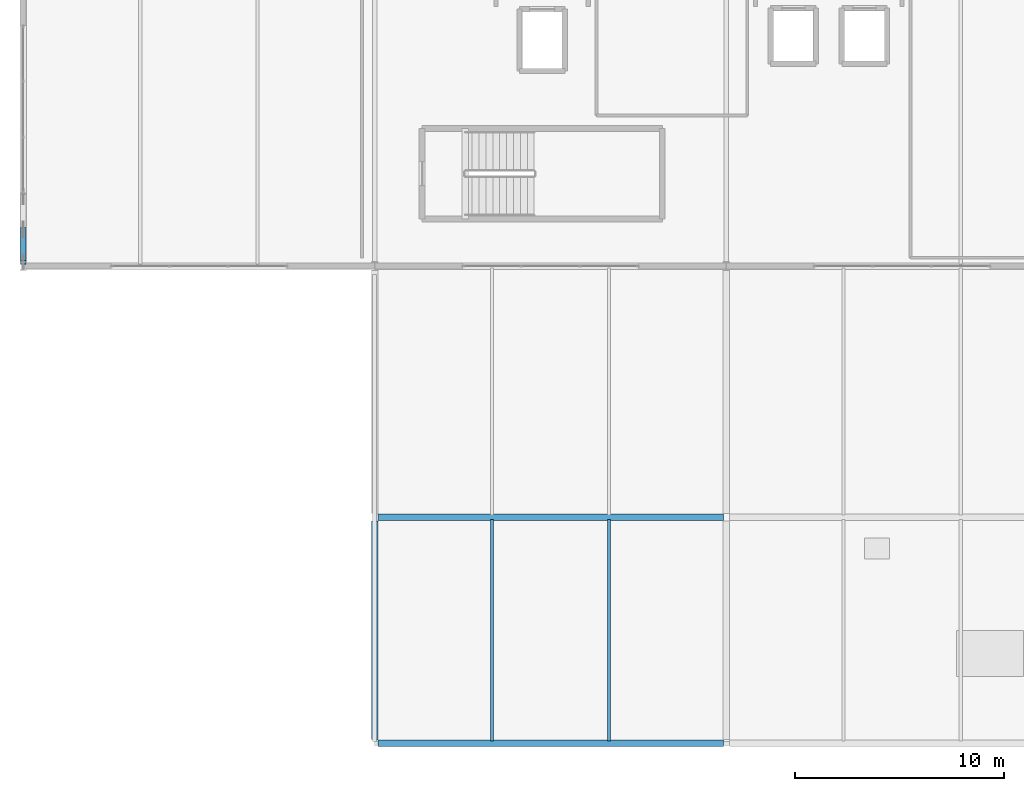
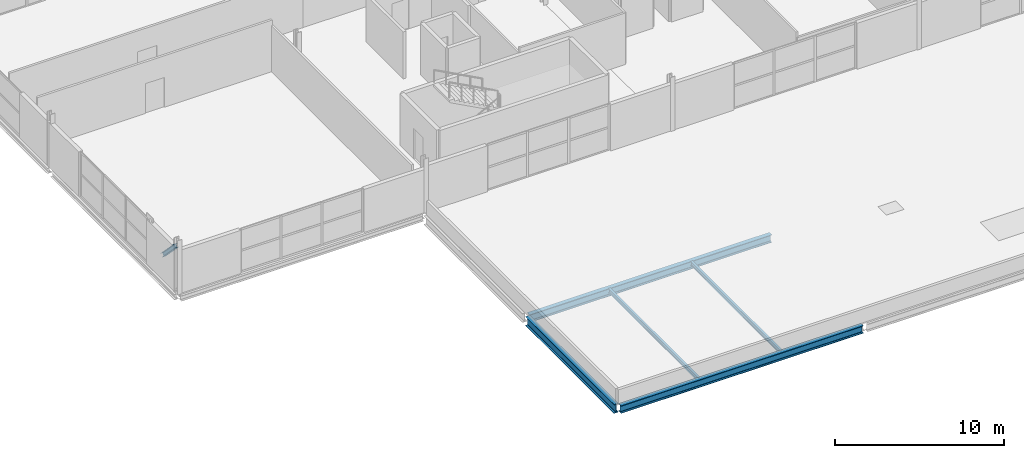
# One storey, part 6 of 36: 5 beams, 1 member.
"""IFC4 building model written with IfcOpenShell, lengths in metres."""

from ifc_helpers import new_model, si_unit, direction, frame, origin, origin_2d, place, context, subcontext, project, spatial, i_section, extrude, material, material_profile, profile_set, type_object, element, save


model = new_model("IFC4")

# Units and contexts
model_context = context("Model", 3, precision=1e-05, world=origin(), true_north=direction((0.0, 1.0)))
body_context = subcontext(model_context, "Body", "Model", "MODEL_VIEW")
ifc_project = project(units=[si_unit("LENGTHUNIT", "METRE"), si_unit("AREAUNIT", "SQUARE_METRE"), si_unit("VOLUMEUNIT", "CUBIC_METRE"), si_unit("PLANEANGLEUNIT", "RADIAN"), si_unit("MASSUNIT", "GRAM", prefix="KILO")], contexts=[model_context])

# Site, building, storey
site_placement = place(None, origin())
site = spatial("IfcSite", under=ifc_project, at=site_placement, CompositionType="ELEMENT")
building_placement = place(site_placement, origin())
building = spatial("IfcBuilding", under=site, at=building_placement, Name="Kimbaza Rail Terminus", CompositionType="ELEMENT")
storey_placement = place(building_placement, frame((0.0, 0.0, 21.0)))
storey = spatial("IfcBuildingStorey", under=building, at=storey_placement, Name="L04", CompositionType="ELEMENT", Elevation=21.0)

# Beams
ifc_material_1 = material(Name="Steel S355", Category="steel")
ifc_material_profile_1 = material_profile(ifc_material_1, i_section(OverallWidth=0.300048828125, OverallDepth=0.550048828125, WebThickness=0.014892578125, FlangeThickness=0.029052734375, FilletRadius=0.027099609375, at=origin_2d()), Name="HEB 550")
ifc_profile_set_1 = profile_set([ifc_material_profile_1], Name="Steel S355")
beam_type_1 = type_object("IfcBeamType", Name="STR-BM-HEB550", PredefinedType="BEAM", material=ifc_profile_set_1)
for number, where, z_axis, x_axis, name in (
    (1, (72.14599609375, 80.199951171875, -0.449951171875), (1.0, 0.0, 0.0), (0.0, 1.0, 0.0), "Beam BM-BRGRFX-80-0"),
    (2, (72.14599609375, 91.0, -0.449951171875), (1.0, 0.0, 0.0), (0.0, 1.0, 0.0), "Beam BM-BRGRFX-91-0"),
):
    element("IfcBeam", number, at=place(storey_placement, frame(where, z_axis=z_axis, x_axis=x_axis)), inside=storey, type_object=beam_type_1, Name=name, PredefinedType="BEAM", context=body_context, shape_type="SweptSolid", body=[
        extrude(i_section(OverallWidth=0.300048828125, OverallDepth=0.550048828125, WebThickness=0.014892578125, FlangeThickness=0.029052734375, FilletRadius=0.027099609375, at=origin_2d()), origin(), (0.0, 0.0, 1.0), 16.508056640625),
    ])
ifc_material_2 = material(Name="Steel S355", Category="steel")
ifc_material_profile_2 = material_profile(ifc_material_2, i_section(OverallWidth=0.300048828125, OverallDepth=0.64990234375, WebThickness=0.01611328125, FlangeThickness=0.031005859375, FilletRadius=0.027099609375, at=origin_2d()), Name="HEB 650")
ifc_profile_set_2 = profile_set([ifc_material_profile_2], Name="Steel S355")
beam_type_2 = type_object("IfcBeamType", Name="STR-BM-HEB650", PredefinedType="USERDEFINED", material=ifc_profile_set_2)
beam_placement = place(storey_placement, frame((72.0, 80.375, -0.5), z_axis=(0.0, 1.0, 0.0), x_axis=(-1.0, 0.0, 0.0)))
element("IfcBeam", 3, at=beam_placement, inside=storey, type_object=beam_type_2, Name="Beam BM-BRGRFY-72-80", ObjectType="GIRDER", PredefinedType="USERDEFINED", context=body_context, shape_type="SweptSolid", body=[
    extrude(i_section(OverallWidth=0.300048828125, OverallDepth=0.64990234375, WebThickness=0.01611328125, FlangeThickness=0.031005859375, FilletRadius=0.027099609375, at=origin_2d()), origin(), (0.0, 0.0, 1.0), 10.449951171875),
])
ifc_material_3 = material(Name="Steel S355", Category="steel")
ifc_material_profile_3 = material_profile(ifc_material_3, i_section(OverallWidth=0.14990234375, OverallDepth=0.300048828125, WebThickness=0.007080078125, FlangeThickness=0.0107421875, FilletRadius=0.014892578125, at=origin_2d()), Name="IPE 300")
ifc_profile_set_3 = profile_set([ifc_material_profile_3], Name="Steel S355")
beam_type_3 = type_object("IfcBeamType", Name="STR-BM-IPE300", PredefinedType="JOIST", material=ifc_profile_set_3)
for number, where, z_axis, x_axis, name in (
    (4, (77.60009765625, 80.300048828125, -0.324951171875), (0.0, 1.0, 0.0), (-1.0, 0.0, 0.0), "Beam JST-BRGRF-L04-0-1-80"),
    (5, (83.199951171875, 80.300048828125, -0.324951171875), (0.0, 1.0, 0.0), (-1.0, 0.0, 0.0), "Beam JST-BRGRF-L04-0-2-80"),
):
    element("IfcBeam", number, at=place(storey_placement, frame(where, z_axis=z_axis, x_axis=x_axis)), inside=storey, type_object=beam_type_3, Name=name, PredefinedType="JOIST", context=body_context, shape_type="SweptSolid", body=[
        extrude(i_section(OverallWidth=0.14990234375, OverallDepth=0.300048828125, WebThickness=0.007080078125, FlangeThickness=0.0107421875, FilletRadius=0.014892578125, at=origin_2d()), origin(), (0.0, 0.0, 1.0), 10.599853515625),
    ])

# Member
ifc_material_4 = material(Name="Steel S355", Category="steel")
ifc_material_profile_4 = material_profile(ifc_material_4, i_section(OverallWidth=0.260009765625, OverallDepth=0.260009765625, WebThickness=0.010009765625, FlangeThickness=0.017578125, FilletRadius=0.02392578125, at=origin_2d()), Name="HEB 260")
ifc_profile_set_4 = profile_set([ifc_material_profile_4], Name="Steel S355")
member_type = type_object("IfcMemberType", Name="STR-MB-HEB260", PredefinedType="BRACE", material=ifc_profile_set_4)
member_placement = place(storey_placement, frame((55.199951171875, 104.75, 1.675048828125), z_axis=(0.0, -0.694847066987, 0.719157530378), x_axis=(1.0, 0.0, 0.0)))
element("IfcMember", 6, at=member_placement, inside=storey, type_object=member_type, Name="Perimeter X-Brace Split Diagonal 1B", PredefinedType="BRACE", context=body_context, shape_type="SweptSolid", body=[
    extrude(i_section(OverallWidth=0.260009765625, OverallDepth=0.260009765625, WebThickness=0.010009765625, FlangeThickness=0.017578125, FilletRadius=0.02392578125, at=origin_2d()), origin(), (0.0, 0.0, 1.0), 2.259521484375),
])

save(model, "model.ifc")
